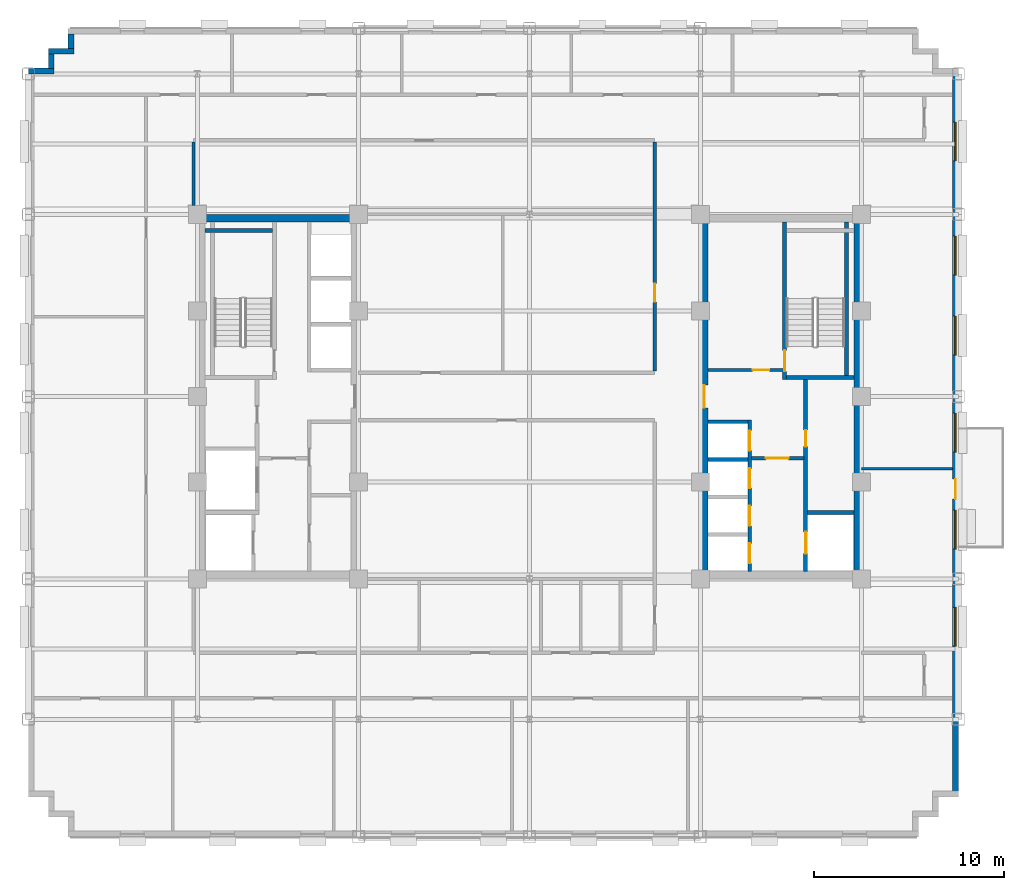
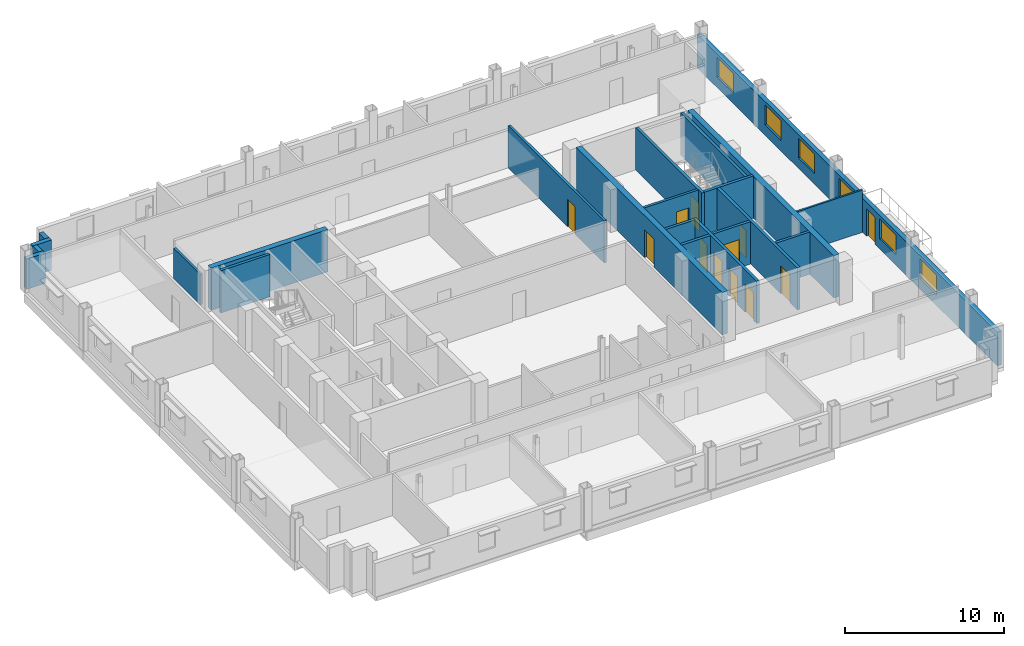
# One storey, part 9 of 14: 22 walls, 12 doors, 6 windows, 18 openings.
"""IFC4 building model written with IfcOpenShell, lengths in metres."""

from ifc_helpers import new_model, si_unit, direction, frame, frame_2d, origin, place, context, subcontext, project, spatial, rectangle, extrude, source, transform, mapped, material, layer, layer_set, type_object, type_shapes, element, fill, save


model = new_model("IFC4")

# Units and contexts
model_context = context("Model", 3, precision=1e-05, world=origin(), true_north=direction((0.0, 1.0)))
body_context = subcontext(model_context, "Body", "Model", "MODEL_VIEW")
ifc_project = project(units=[si_unit("LENGTHUNIT", "METRE"), si_unit("AREAUNIT", "SQUARE_METRE"), si_unit("VOLUMEUNIT", "CUBIC_METRE"), si_unit("PLANEANGLEUNIT", "RADIAN"), si_unit("MASSUNIT", "GRAM", prefix="KILO")], contexts=[model_context])

# Site, building, storey
site_placement = place(None, origin())
site = spatial("IfcSite", under=ifc_project, at=site_placement, CompositionType="ELEMENT")
building_placement = place(site_placement, origin())
building = spatial("IfcBuilding", under=site, at=building_placement, Name="Nuvemarco Arch Tower", CompositionType="ELEMENT")
storey_placement = place(building_placement, frame((0.0, 0.0, 182.25)))
storey = spatial("IfcBuildingStorey", under=building, at=storey_placement, Name="L48", CompositionType="ELEMENT", Elevation=182.25)

# Wall, openings, door, windows
ifc_material_1 = material(Name="Precast concrete C45/55", Category="concrete")
ifc_layer_1 = layer(ifc_material_1, 0.31005859375, Name="EW-UPP-310")
ifc_layer_set_1 = layer_set([ifc_layer_1], Name="Precast concrete C45/55")
wall_type_1 = type_object("IfcWallType", Name="EW-UPP-310", PredefinedType="STANDARD", material=ifc_layer_set_1)
wall_1_placement = place(storey_placement, frame((22.445068359375, -20.7939453125, 0.0), z_axis=(0.0, 0.0, 1.0), x_axis=(0.0, 1.0, 0.0)))
wall_1 = element("IfcWall", 1, at=wall_1_placement, inside=storey, type_object=wall_type_1, Name="L48 exterior precast facade wall 6", PredefinedType="STANDARD", context=body_context, shape_type="SweptSolid", body=[
    extrude(rectangle(XDim=37.787841796875, YDim=0.31005859375, at=frame_2d((18.89404296875, 0.0))), origin(), (0.0, 0.0, 1.0), 2.5849609375),
])
opening_1_placement = place(wall_1_placement, frame((16.444091796875, 0.0, 0.0), z_axis=(0.0, 0.0, 1.0), x_axis=(-1.0, 0.0, 0.0)))
opening_1 = element("IfcOpeningElement", 2, at=opening_1_placement, cuts=wall_1, Name="Opening ED-5", PredefinedType="OPENING", context=body_context, shape_type="SweptSolid", body=[
    extrude(rectangle(XDim=1.050048828125, YDim=2.10009765625, at=frame_2d((0.52490234375, 1.050048828125))), frame((0.0, 0.1650390625, 0.0), z_axis=(0.0, -1.0, 0.0), x_axis=(1.0, 0.0, 0.0)), (0.0, 0.0, 1.0), 0.330078125),
])
opening_2_placement = place(wall_1_placement, frame((7.643798828125, 0.0, 0.800048828125)))
opening_2 = element("IfcOpeningElement", 3, at=opening_2_placement, cuts=wall_1, Name="Opening WN-12", PredefinedType="OPENING", context=body_context, shape_type="SweptSolid", body=[
    extrude(rectangle(XDim=2.050048828125, YDim=1.52001953125, at=frame_2d((1.02490234375, 0.760009765625))), frame((0.0, 0.1650390625, 0.0), z_axis=(0.0, -1.0, 0.0), x_axis=(1.0, 0.0, 0.0)), (0.0, 0.0, 1.0), 0.330078125),
])
opening_3_placement = place(wall_1_placement, frame((12.75634765625, 0.0, 0.800048828125)))
opening_3 = element("IfcOpeningElement", 4, at=opening_3_placement, cuts=wall_1, Name="Opening WN-12", PredefinedType="OPENING", context=body_context, shape_type="SweptSolid", body=[
    extrude(rectangle(XDim=2.050048828125, YDim=1.52001953125, at=frame_2d((1.02490234375, 0.760009765625))), frame((0.0, 0.1650390625, 0.0), z_axis=(0.0, -1.0, 0.0), x_axis=(1.0, 0.0, 0.0)), (0.0, 0.0, 1.0), 0.330078125),
])
opening_4_placement = place(wall_1_placement, frame((17.868896484375, 0.0, 0.800048828125)))
opening_4 = element("IfcOpeningElement", 5, at=opening_4_placement, cuts=wall_1, Name="Opening WN-12", PredefinedType="OPENING", context=body_context, shape_type="SweptSolid", body=[
    extrude(rectangle(XDim=2.050048828125, YDim=1.52001953125, at=frame_2d((1.02490234375, 0.760009765625))), frame((0.0, 0.1650390625, 0.0), z_axis=(0.0, -1.0, 0.0), x_axis=(1.0, 0.0, 0.0)), (0.0, 0.0, 1.0), 0.330078125),
])
opening_5_placement = place(wall_1_placement, frame((22.981689453125, 0.0, 0.800048828125)))
opening_5 = element("IfcOpeningElement", 6, at=opening_5_placement, cuts=wall_1, Name="Opening WN-12", PredefinedType="OPENING", context=body_context, shape_type="SweptSolid", body=[
    extrude(rectangle(XDim=2.050048828125, YDim=1.52001953125, at=frame_2d((1.02490234375, 0.760009765625))), frame((0.0, 0.1650390625, 0.0), z_axis=(0.0, -1.0, 0.0), x_axis=(1.0, 0.0, 0.0)), (0.0, 0.0, 1.0), 0.330078125),
])
opening_6_placement = place(wall_1_placement, frame((27.194091796875, 0.0, 0.800048828125)))
opening_6 = element("IfcOpeningElement", 7, at=opening_6_placement, cuts=wall_1, Name="Opening WN-12", PredefinedType="OPENING", context=body_context, shape_type="SweptSolid", body=[
    extrude(rectangle(XDim=2.050048828125, YDim=1.52001953125, at=frame_2d((1.02490234375, 0.760009765625))), frame((0.0, 0.1650390625, 0.0), z_axis=(0.0, -1.0, 0.0), x_axis=(1.0, 0.0, 0.0)), (0.0, 0.0, 1.0), 0.330078125),
])
opening_7_placement = place(wall_1_placement, frame((33.206787109375, 0.0, 0.800048828125)))
opening_7 = element("IfcOpeningElement", 8, at=opening_7_placement, cuts=wall_1, Name="Opening WN-12", PredefinedType="OPENING", context=body_context, shape_type="SweptSolid", body=[
    extrude(rectangle(XDim=2.050048828125, YDim=1.52001953125, at=frame_2d((1.02490234375, 0.760009765625))), frame((0.0, 0.1650390625, 0.0), z_axis=(0.0, -1.0, 0.0), x_axis=(1.0, 0.0, 0.0)), (0.0, 0.0, 1.0), 0.330078125),
])
ifc_material_2 = material(Name="Anodised bronze and laminated glass", Category="glass")
door_type_1 = type_object("IfcDoorType", Name="DR-EXT-TERR", OperationType="NOTDEFINED", PredefinedType="DOOR", material=ifc_material_2)
shared_shape_1 = source(origin(), body_context, "Body", "SweptSolid", [
    extrude(rectangle(XDim=1.050048828125, YDim=2.10009765625, at=frame_2d((0.52490234375, 1.050048828125))), frame((0.0, 0.02490234375, 0.0), z_axis=(0.0, -1.0, 0.0), x_axis=(1.0, 0.0, 0.0)), (0.0, 0.0, 1.0), 0.050048828125),
])
type_shapes(door_type_1, [shared_shape_1])
door_1_placement = place(opening_1_placement, origin())
door_1 = element("IfcDoor", 9, at=door_1_placement, inside=storey, type_object=door_type_1, Name="L48 spiral terrace access door", OperationType="SINGLE_SWING_LEFT", OverallHeight=2.10009765625, OverallWidth=1.050048828125, PredefinedType="DOOR", context=body_context, shape_type="MappedRepresentation", body=[
    mapped(shared_shape_1, transform((0.0, 0.0, 0.0), scale=1.0)),
])
fill(opening_1, door_1)
ifc_material_3 = material(Name="Insulated solar-control glass", Category="glass")
window_type = type_object("IfcWindowType", Name="WN-SET-2050x1520", PartitioningType="DOUBLE_PANEL_VERTICAL", PredefinedType="WINDOW", material=ifc_material_3)
shared_shape_2 = source(origin(), body_context, "Body", "SweptSolid", [
    extrude(rectangle(XDim=2.050048828125, YDim=1.52001953125, at=frame_2d((1.02490234375, 0.760009765625))), frame((0.0, 0.030029296875, 0.0), z_axis=(0.0, -1.0, 0.0), x_axis=(1.0, 0.0, 0.0)), (0.0, 0.0, 1.0), 0.06005859375),
])
type_shapes(window_type, [shared_shape_2])
window_1_placement = place(opening_2_placement, origin())
window_1 = element("IfcWindow", 10, at=window_1_placement, inside=storey, type_object=window_type, Name="L48 punched facade window 2", OverallHeight=1.52001953125, OverallWidth=2.050048828125, PartitioningType="SINGLE_PANEL", PredefinedType="WINDOW", context=body_context, shape_type="MappedRepresentation", body=[
    mapped(shared_shape_2, transform((0.0, 0.0, 0.0), scale=1.0)),
])
fill(opening_2, window_1)
window_2_placement = place(opening_3_placement, origin())
window_2 = element("IfcWindow", 11, at=window_2_placement, inside=storey, type_object=window_type, Name="L48 punched facade window 3", OverallHeight=1.52001953125, OverallWidth=2.050048828125, PartitioningType="SINGLE_PANEL", PredefinedType="WINDOW", context=body_context, shape_type="MappedRepresentation", body=[
    mapped(shared_shape_2, transform((0.0, 0.0, 0.0), scale=1.0)),
])
fill(opening_3, window_2)
window_3_placement = place(opening_4_placement, origin())
window_3 = element("IfcWindow", 12, at=window_3_placement, inside=storey, type_object=window_type, Name="L48 punched facade window 4", OverallHeight=1.52001953125, OverallWidth=2.050048828125, PartitioningType="SINGLE_PANEL", PredefinedType="WINDOW", context=body_context, shape_type="MappedRepresentation", body=[
    mapped(shared_shape_2, transform((0.0, 0.0, 0.0), scale=1.0)),
])
fill(opening_4, window_3)
window_4_placement = place(opening_5_placement, origin())
window_4 = element("IfcWindow", 13, at=window_4_placement, inside=storey, type_object=window_type, Name="L48 punched facade window 5", OverallHeight=1.52001953125, OverallWidth=2.050048828125, PartitioningType="SINGLE_PANEL", PredefinedType="WINDOW", context=body_context, shape_type="MappedRepresentation", body=[
    mapped(shared_shape_2, transform((0.0, 0.0, 0.0), scale=1.0)),
])
fill(opening_5, window_4)
window_5_placement = place(opening_6_placement, origin())
window_5 = element("IfcWindow", 14, at=window_5_placement, inside=storey, type_object=window_type, Name="L48 punched facade window 6", OverallHeight=1.52001953125, OverallWidth=2.050048828125, PartitioningType="SINGLE_PANEL", PredefinedType="WINDOW", context=body_context, shape_type="MappedRepresentation", body=[
    mapped(shared_shape_2, transform((0.0, 0.0, 0.0), scale=1.0)),
])
fill(opening_6, window_5)
window_6_placement = place(opening_7_placement, origin())
window_6 = element("IfcWindow", 15, at=window_6_placement, inside=storey, type_object=window_type, Name="L48 punched facade window 7", OverallHeight=1.52001953125, OverallWidth=2.050048828125, PartitioningType="SINGLE_PANEL", PredefinedType="WINDOW", context=body_context, shape_type="MappedRepresentation", body=[
    mapped(shared_shape_2, transform((0.0, 0.0, 0.0), scale=1.0)),
])
fill(opening_7, window_6)

# Walls
wall_2_placement = place(storey_placement, frame((-24.14501953125, 18.345947265625, 0.0), z_axis=(0.0, 0.0, 1.0), x_axis=(0.0, 1.0, 0.0)))
element("IfcWall", 16, at=wall_2_placement, inside=storey, type_object=wall_type_1, Name="L48 exterior precast facade wall 12", PredefinedType="STANDARD", context=body_context, shape_type="SweptSolid", body=[
    extrude(rectangle(XDim=0.748046875, YDim=0.31005859375, at=frame_2d((0.3740234375, 0.0))), origin(), (0.0, 0.0, 1.0), 2.3349609375),
])
wall_3_placement = place(storey_placement, frame((-25.35009765625, 18.195068359375, 0.0), z_axis=(0.0, 0.0, 1.0), x_axis=(1.0, 0.0, 0.0)))
element("IfcWall", 17, at=wall_3_placement, inside=storey, type_object=wall_type_1, Name="L48 exterior precast facade wall 13", PredefinedType="STANDARD", context=body_context, shape_type="SweptSolid", body=[
    extrude(rectangle(XDim=1.360107421875, YDim=0.31005859375, at=frame_2d((0.68017578125, 0.0))), origin(), (0.0, 0.0, 1.0), 2.3349609375),
])
wall_4_placement = place(storey_placement, frame((-25.195068359375, 17.2958984375, 0.0), z_axis=(0.0, 0.0, 1.0), x_axis=(0.0, 1.0, 0.0)))
element("IfcWall", 18, at=wall_4_placement, inside=storey, type_object=wall_type_1, Name="L48 exterior precast facade wall 14", PredefinedType="STANDARD", context=body_context, shape_type="SweptSolid", body=[
    extrude(rectangle(XDim=0.748046875, YDim=0.31005859375, at=frame_2d((0.3740234375, 0.0))), origin(), (0.0, 0.0, 1.0), 2.3349609375),
])
wall_5_placement = place(storey_placement, frame((-26.39990234375, 17.14501953125, 0.0), z_axis=(0.0, 0.0, 1.0), x_axis=(1.0, 0.0, 0.0)))
element("IfcWall", 19, at=wall_5_placement, inside=storey, type_object=wall_type_1, Name="L48 exterior precast facade wall 15", PredefinedType="STANDARD", context=body_context, shape_type="SweptSolid", body=[
    extrude(rectangle(XDim=1.35986328125, YDim=0.31005859375, at=frame_2d((0.679931640625, 0.0))), origin(), (0.0, 0.0, 1.0), 2.3349609375),
])
ifc_material_4 = material(Name="Concrete C60/75", Category="concrete")
ifc_layer_2 = layer(ifc_material_4, 0.39990234375, Name="WL-CORE-400")
ifc_layer_set_2 = layer_set([ifc_layer_2], Name="Concrete C60/75")
wall_type_2 = type_object("IfcWallType", Name="WL-CORE-400", PredefinedType="SHEAR", material=ifc_layer_set_2)
wall_6_placement = place(storey_placement, frame((-17.5, 9.39990234375, 0.0), z_axis=(0.0, 0.0, 1.0), x_axis=(1.0, 0.0, 0.0)))
element("IfcWall", 20, at=wall_6_placement, inside=storey, type_object=wall_type_2, Name="L48 W-core shear wall N", PredefinedType="SHEAR", context=body_context, shape_type="SweptSolid", body=[
    extrude(rectangle(XDim=8.5, YDim=0.39990234375, at=frame_2d((4.25, 0.0))), origin(), (0.0, 0.0, 1.0), 3.25),
])

# Wall, opening, door
wall_7_placement = place(storey_placement, frame((9.199951171875, -9.205078125, 0.0), z_axis=(0.0, 0.0, 1.0), x_axis=(0.0, 1.0, 0.0)))
wall_7 = element("IfcWall", 21, at=wall_7_placement, inside=storey, type_object=wall_type_2, Name="L48 E-core shear wall W", PredefinedType="SHEAR", context=body_context, shape_type="SweptSolid", body=[
    extrude(rectangle(XDim=18.41015625, YDim=0.39990234375, at=frame_2d((9.205078125, 0.0))), origin(), (0.0, 0.0, 1.0), 3.25),
])
opening_8_placement = place(wall_7_placement, frame((8.60498046875, 0.0, 0.0)))
opening_8 = element("IfcOpeningElement", 22, at=opening_8_placement, cuts=wall_7, Name="Opening FD-2", PredefinedType="OPENING", context=body_context, shape_type="SweptSolid", body=[
    extrude(rectangle(XDim=1.199951171875, YDim=2.14990234375, at=frame_2d((0.60009765625, 1.074951171875))), frame((0.0, 0.2099609375, 0.0), z_axis=(0.0, -1.0, 0.0), x_axis=(1.0, 0.0, 0.0)), (0.0, 0.0, 1.0), 0.419921875),
])
ifc_material_5 = material(Name="Anodised steel fire door", Category="steel")
door_type_2 = type_object("IfcDoorType", Name="DR-FFLOB-FD", OperationType="NOTDEFINED", PredefinedType="DOOR", material=ifc_material_5)
shared_shape_3 = source(origin(), body_context, "Body", "SweptSolid", [
    extrude(rectangle(XDim=1.199951171875, YDim=2.14990234375, at=frame_2d((0.60009765625, 1.074951171875))), frame((0.0, 0.02490234375, 0.0), z_axis=(0.0, -1.0, 0.0), x_axis=(1.0, 0.0, 0.0)), (0.0, 0.0, 1.0), 0.050048828125),
])
type_shapes(door_type_2, [shared_shape_3])
door_2_placement = place(opening_8_placement, origin())
door_2 = element("IfcDoor", 23, at=door_2_placement, inside=storey, type_object=door_type_2, Name="L48 door FD-L48-ECORE-W", OperationType="SINGLE_SWING_RIGHT", OverallHeight=2.14990234375, OverallWidth=1.199951171875, PredefinedType="DOOR", context=body_context, shape_type="MappedRepresentation", body=[
    mapped(shared_shape_3, transform((0.0, 0.0, 0.0), scale=1.0)),
])
fill(opening_8, door_2)

# Wall
wall_8_placement = place(storey_placement, frame((17.300048828125, -9.205078125, 0.0), z_axis=(0.0, 0.0, 1.0), x_axis=(0.0, 1.0, 0.0)))
element("IfcWall", 24, at=wall_8_placement, inside=storey, type_object=wall_type_2, Name="L48 E-core shear wall E", PredefinedType="SHEAR", context=body_context, shape_type="SweptSolid", body=[
    extrude(rectangle(XDim=18.41015625, YDim=0.39990234375, at=frame_2d((9.205078125, 0.0))), origin(), (0.0, 0.0, 1.0), 3.25),
])

# Wall, opening, door
ifc_material_6 = material(Name="Fire-rated gypsum drywall partition")
ifc_layer_3 = layer(ifc_material_6, 0.179931640625, Name="WL-CORR-180")
ifc_layer_set_3 = layer_set([ifc_layer_3], Name="Fire-rated gypsum drywall partition")
wall_type_3 = type_object("IfcWallType", Name="WL-CORR-180", PredefinedType="PARTITIONING", material=ifc_layer_set_3)
wall_9_placement = place(storey_placement, frame((9.39501953125, 1.39990234375, 0.0), z_axis=(0.0, 0.0, 1.0), x_axis=(1.0, 0.0, 0.0)))
wall_9 = element("IfcWall", 25, at=wall_9_placement, inside=storey, type_object=wall_type_3, Name="L48 interior wall IW-L48-EK-S", PredefinedType="PARTITIONING", context=body_context, shape_type="SweptSolid", body=[
    extrude(rectangle(XDim=3.949951171875, YDim=0.179931640625, at=frame_2d((1.97509765625, 0.0))), origin(), (0.0, 0.0, 1.0), 3.239990234375),
])
opening_9_placement = place(wall_9_placement, frame((2.364990234375, 0.0, 0.0)))
opening_9 = element("IfcOpeningElement", 26, at=opening_9_placement, cuts=wall_9, Name="Opening FD-4", PredefinedType="OPENING", context=body_context, shape_type="SweptSolid", body=[
    extrude(rectangle(XDim=0.8798828125, YDim=2.10009765625, at=frame_2d((0.43994140625, 1.050048828125))), frame((0.0, 0.099853515625, 0.0), z_axis=(0.0, -1.0, 0.0), x_axis=(1.0, 0.0, 0.0)), (0.0, 0.0, 1.0), 0.199951171875),
])
door_type_3 = type_object("IfcDoorType", Name="DR-RISER-FD", OperationType="NOTDEFINED", PredefinedType="DOOR", material=ifc_material_5)
shared_shape_4 = source(origin(), body_context, "Body", "SweptSolid", [
    extrude(rectangle(XDim=0.8798828125, YDim=2.10009765625, at=frame_2d((0.43994140625, 1.050048828125))), frame((0.0, 0.02490234375, 0.0), z_axis=(0.0, -1.0, 0.0), x_axis=(1.0, 0.0, 0.0)), (0.0, 0.0, 1.0), 0.050048828125),
])
type_shapes(door_type_3, [shared_shape_4])
door_3_placement = place(opening_9_placement, origin())
door_3 = element("IfcDoor", 27, at=door_3_placement, inside=storey, type_object=door_type_3, Name="L48 door FD-L48-EK1A", OperationType="SINGLE_SWING_LEFT", OverallHeight=2.10009765625, OverallWidth=0.8798828125, PredefinedType="DOOR", context=body_context, shape_type="MappedRepresentation", body=[
    mapped(shared_shape_4, transform((0.0, 0.0, 0.0), scale=1.0)),
])
fill(opening_9, door_3)

# Wall
wall_10_placement = place(storey_placement, frame((-17.699951171875, 10.071044921875, 0.0), z_axis=(0.0, 0.0, 1.0), x_axis=(0.0, 1.0, 0.0)))
element("IfcWall", 28, at=wall_10_placement, inside=storey, type_object=wall_type_3, Name="L48 interior wall IW-L48-018", PredefinedType="PARTITIONING", context=body_context, shape_type="SweptSolid", body=[
    extrude(rectangle(XDim=3.343017578125, YDim=0.179931640625, at=frame_2d((1.67138671875, 0.0))), origin(), (0.0, 0.0, 1.0), 2.3349609375),
])

# Wall, opening, door
wall_11_placement = place(storey_placement, frame((6.60009765625, 1.3359375, 0.0), z_axis=(0.0, 0.0, 1.0), x_axis=(0.0, 1.0, 0.0)))
wall_11 = element("IfcWall", 29, at=wall_11_placement, inside=storey, type_object=wall_type_3, Name="L48 interior wall IW-L48-030", PredefinedType="PARTITIONING", context=body_context, shape_type="SweptSolid", body=[
    extrude(rectangle(XDim=12.078125, YDim=0.179931640625, at=frame_2d((6.0390625, 0.0))), origin(), (0.0, 0.0, 1.0), 3.239990234375),
])
opening_10_placement = place(wall_11_placement, frame((3.652099609375, 0.0, 0.0)))
opening_10 = element("IfcOpeningElement", 30, at=opening_10_placement, cuts=wall_11, Name="Opening FD-5", PredefinedType="OPENING", context=body_context, shape_type="SweptSolid", body=[
    extrude(rectangle(XDim=0.9599609375, YDim=2.10009765625, at=frame_2d((0.47998046875, 1.050048828125))), frame((0.0, 0.099853515625, 0.0), z_axis=(0.0, -1.0, 0.0), x_axis=(1.0, 0.0, 0.0)), (0.0, 0.0, 1.0), 0.199951171875),
])
ifc_material_7 = material(Name="Timber fire door", Category="wood")
door_type_4 = type_object("IfcDoorType", Name="DR-CORR-FD", OperationType="NOTDEFINED", PredefinedType="DOOR", material=ifc_material_7)
shared_shape_5 = source(origin(), body_context, "Body", "SweptSolid", [
    extrude(rectangle(XDim=0.9599609375, YDim=2.10009765625, at=frame_2d((0.47998046875, 1.050048828125))), frame((0.0, 0.02490234375, 0.0), z_axis=(0.0, -1.0, 0.0), x_axis=(1.0, 0.0, 0.0)), (0.0, 0.0, 1.0), 0.050048828125),
])
type_shapes(door_type_4, [shared_shape_5])
door_4_placement = place(opening_10_placement, origin())
door_4 = element("IfcDoor", 31, at=door_4_placement, inside=storey, type_object=door_type_4, Name="L48 door DR-L48-C_N2", OperationType="SINGLE_SWING_RIGHT", OverallHeight=2.10009765625, OverallWidth=0.9599609375, PredefinedType="DOOR", context=body_context, shape_type="MappedRepresentation", body=[
    mapped(shared_shape_5, transform((0.0, 0.0, 0.0), scale=1.0)),
])
fill(opening_10, door_4)

# Walls
ifc_material_8 = material(Name="Glazed acoustic office partition")
ifc_layer_4 = layer(ifc_material_8, 0.1298828125, Name="WL-EXEC-130")
ifc_layer_set_4 = layer_set([ifc_layer_4], Name="Glazed acoustic office partition")
wall_type_4 = type_object("IfcWallType", Name="WL-EXEC-130", PredefinedType="PARTITIONING", material=ifc_layer_set_4)
wall_12_placement = place(storey_placement, frame((17.5, -3.800048828125, 0.0), z_axis=(0.0, 0.0, 1.0), x_axis=(1.0, 0.0, 0.0)))
element("IfcWall", 32, at=wall_12_placement, inside=storey, type_object=wall_type_4, Name="L48 interior wall IW-L48-006", PredefinedType="PARTITIONING", context=body_context, shape_type="SweptSolid", body=[
    extrude(rectangle(XDim=4.7900390625, YDim=0.1298828125, at=frame_2d((2.39501953125, 0.0))), origin(), (0.0, 0.0, 1.0), 3.239990234375),
])
ifc_material_9 = material(Name="Concrete C50/60", Category="concrete")
ifc_layer_5 = layer(ifc_material_9, 0.199951171875, Name="WL-SHAFT-220")
ifc_layer_set_5 = layer_set([ifc_layer_5], Name="Concrete C50/60")
wall_type_5 = type_object("IfcWallType", Name="WL-SHAFT-220", PredefinedType="SHEAR", material=ifc_layer_set_5)
wall_13_placement = place(storey_placement, frame((-17.10498046875, 8.75, 0.0), z_axis=(0.0, 0.0, 1.0), x_axis=(1.0, 0.0, 0.0)))
element("IfcWall", 33, at=wall_13_placement, inside=storey, type_object=wall_type_5, Name="L48 structural shaft wall SW-L48-W-ST1N", PredefinedType="SHEAR", context=body_context, shape_type="SweptSolid", body=[
    extrude(rectangle(XDim=3.570068359375, YDim=0.199951171875, at=frame_2d((1.78515625, 0.0))), origin(), (0.0, 0.0, 1.0), 3.25),
])

# Wall, opening, door
wall_14_placement = place(storey_placement, frame((13.43994140625, 0.89990234375, 0.0), z_axis=(0.0, 0.0, 1.0), x_axis=(0.0, 1.0, 0.0)))
wall_14 = element("IfcWall", 34, at=wall_14_placement, inside=storey, type_object=wall_type_5, Name="L48 structural shaft wall SW-L48-E-ST2W", PredefinedType="SHEAR", context=body_context, shape_type="SweptSolid", body=[
    extrude(rectangle(XDim=8.30517578125, YDim=0.199951171875, at=frame_2d((4.152587890625, 0.0))), origin(), (0.0, 0.0, 1.0), 3.25),
])
opening_11_placement = place(wall_14_placement, frame((0.429931640625, 0.0, 0.0)))
opening_11 = element("IfcOpeningElement", 35, at=opening_11_placement, cuts=wall_14, Name="Opening FD-1", PredefinedType="OPENING", context=body_context, shape_type="SweptSolid", body=[
    extrude(rectangle(XDim=1.10009765625, YDim=2.14990234375, at=frame_2d((0.550048828125, 1.074951171875))), frame((0.0, 0.10986328125, 0.0), z_axis=(0.0, -1.0, 0.0), x_axis=(1.0, 0.0, 0.0)), (0.0, 0.0, 1.0), 0.219970703125),
])
door_type_5 = type_object("IfcDoorType", Name="DR-STAIR-FD", OperationType="NOTDEFINED", PredefinedType="DOOR", material=ifc_material_5)
shared_shape_6 = source(origin(), body_context, "Body", "SweptSolid", [
    extrude(rectangle(XDim=1.10009765625, YDim=2.14990234375, at=frame_2d((0.550048828125, 1.074951171875))), frame((0.0, 0.02490234375, 0.0), z_axis=(0.0, -1.0, 0.0), x_axis=(1.0, 0.0, 0.0)), (0.0, 0.0, 1.0), 0.050048828125),
])
type_shapes(door_type_5, [shared_shape_6])
door_5_placement = place(opening_11_placement, origin())
door_5 = element("IfcDoor", 36, at=door_5_placement, inside=storey, type_object=door_type_5, Name="L48 door FD-L48-ST2", OperationType="SINGLE_SWING_RIGHT", OverallHeight=2.14990234375, OverallWidth=1.10009765625, PredefinedType="DOOR", context=body_context, shape_type="MappedRepresentation", body=[
    mapped(shared_shape_6, transform((0.0, 0.0, 0.0), scale=1.0)),
])
fill(opening_11, door_5)

# Walls
wall_15_placement = place(storey_placement, frame((13.534912109375, 1.0, 0.0), z_axis=(0.0, 0.0, 1.0), x_axis=(1.0, 0.0, 0.0)))
element("IfcWall", 37, at=wall_15_placement, inside=storey, type_object=wall_type_5, Name="L48 structural shaft wall SW-L48-E-ST2S", PredefinedType="SHEAR", context=body_context, shape_type="SweptSolid", body=[
    extrude(rectangle(XDim=3.570068359375, YDim=0.199951171875, at=frame_2d((1.78515625, 0.0))), origin(), (0.0, 0.0, 1.0), 3.25),
])
wall_16_placement = place(storey_placement, frame((16.699951171875, 1.094970703125, 0.0), z_axis=(0.0, 0.0, 1.0), x_axis=(0.0, 1.0, 0.0)))
element("IfcWall", 38, at=wall_16_placement, inside=storey, type_object=wall_type_5, Name="L48 structural shaft wall SW-L48-E-ST2E", PredefinedType="SHEAR", context=body_context, shape_type="SweptSolid", body=[
    extrude(rectangle(XDim=8.110107421875, YDim=0.199951171875, at=frame_2d((4.05517578125, 0.0))), origin(), (0.0, 0.0, 1.0), 3.25),
])

# Wall, openings, doors
wall_17_placement = place(storey_placement, frame((14.550048828125, -9.205078125, 0.0), z_axis=(0.0, 0.0, 1.0), x_axis=(0.0, 1.0, 0.0)))
wall_17 = element("IfcWall", 39, at=wall_17_placement, inside=storey, type_object=wall_type_5, Name="L48 structural shaft wall SW-L48-E-SHW", PredefinedType="SHEAR", context=body_context, shape_type="SweptSolid", body=[
    extrude(rectangle(XDim=10.110107421875, YDim=0.199951171875, at=frame_2d((5.05517578125, 0.0))), origin(), (0.0, 0.0, 1.0), 3.25),
])
opening_12_placement = place(wall_17_placement, frame((6.56494140625, 0.0, 0.0)))
opening_12 = element("IfcOpeningElement", 40, at=opening_12_placement, cuts=wall_17, Name="Opening FD-4", PredefinedType="OPENING", context=body_context, shape_type="SweptSolid", body=[
    extrude(rectangle(XDim=0.8798828125, YDim=2.10009765625, at=frame_2d((0.43994140625, 1.050048828125))), frame((0.0, 0.10986328125, 0.0), z_axis=(0.0, -1.0, 0.0), x_axis=(1.0, 0.0, 0.0)), (0.0, 0.0, 1.0), 0.219970703125),
])
opening_13_placement = place(wall_17_placement, frame((0.929931640625, 0.0, 0.0)))
opening_13 = element("IfcOpeningElement", 41, at=opening_13_placement, cuts=wall_17, Name="Opening LD-2", PredefinedType="OPENING", context=body_context, shape_type="SweptSolid", body=[
    extrude(rectangle(XDim=1.14990234375, YDim=2.14990234375, at=frame_2d((0.574951171875, 1.074951171875))), frame((0.0, 0.10986328125, 0.0), z_axis=(0.0, -1.0, 0.0), x_axis=(1.0, 0.0, 0.0)), (0.0, 0.0, 1.0), 0.219970703125),
])
door_6_placement = place(opening_12_placement, origin())
door_6 = element("IfcDoor", 42, at=door_6_placement, inside=storey, type_object=door_type_3, Name="L48 door FD-L48-ERIS", OperationType="SINGLE_SWING_RIGHT", OverallHeight=2.10009765625, OverallWidth=0.8798828125, PredefinedType="DOOR", context=body_context, shape_type="MappedRepresentation", body=[
    mapped(shared_shape_4, transform((0.0, 0.0, 0.0), scale=1.0)),
])
fill(opening_12, door_6)
ifc_material_10 = material(Name="Stainless steel lift door", Category="steel")
door_type_6 = type_object("IfcDoorType", Name="DR-LIFT-FIRE", OperationType="DOUBLE_DOOR_SLIDING", PredefinedType="DOOR", material=ifc_material_10)
shared_shape_7 = source(origin(), body_context, "Body", "SweptSolid", [
    extrude(rectangle(XDim=1.14990234375, YDim=2.14990234375, at=frame_2d((0.574951171875, 1.074951171875))), frame((0.0, 0.02490234375, 0.0), z_axis=(0.0, -1.0, 0.0), x_axis=(1.0, 0.0, 0.0)), (0.0, 0.0, 1.0), 0.050048828125),
])
type_shapes(door_type_6, [shared_shape_7])
door_7_placement = place(opening_13_placement, origin())
door_7 = element("IfcDoor", 43, at=door_7_placement, inside=storey, type_object=door_type_6, Name="L48 Lift landing sliding door FFL-2", OperationType="DOUBLE_DOOR_SLIDING", OverallHeight=2.14990234375, OverallWidth=1.14990234375, PredefinedType="DOOR", context=body_context, shape_type="MappedRepresentation", body=[
    mapped(shared_shape_7, transform((0.0, 0.0, 0.0), scale=1.0)),
])
fill(opening_13, door_7)

# Wall
wall_18_placement = place(storey_placement, frame((14.64501953125, -6.10009765625, 0.0), z_axis=(0.0, 0.0, 1.0), x_axis=(1.0, 0.0, 0.0)))
element("IfcWall", 44, at=wall_18_placement, inside=storey, type_object=wall_type_5, Name="L48 structural shaft wall SW-L48-E-SH1", PredefinedType="SHEAR", context=body_context, shape_type="SweptSolid", body=[
    extrude(rectangle(XDim=2.4599609375, YDim=0.199951171875, at=frame_2d((1.22998046875, 0.0))), origin(), (0.0, 0.0, 1.0), 3.25),
])

# Wall, openings, doors
wall_19_placement = place(storey_placement, frame((11.60009765625, -9.205078125, 0.0), z_axis=(0.0, 0.0, 1.0), x_axis=(0.0, 1.0, 0.0)))
wall_19 = element("IfcWall", 45, at=wall_19_placement, inside=storey, type_object=wall_type_5, Name="L48 structural shaft wall SW-L48-E-PME", PredefinedType="SHEAR", context=body_context, shape_type="SweptSolid", body=[
    extrude(rectangle(XDim=7.97509765625, YDim=0.199951171875, at=frame_2d((3.987548828125, 0.0))), origin(), (0.0, 0.0, 1.0), 3.25),
])
opening_14_placement = place(wall_19_placement, frame((0.419921875, 0.0, 0.0)))
opening_14 = element("IfcOpeningElement", 46, at=opening_14_placement, cuts=wall_19, Name="Opening LD-1", PredefinedType="OPENING", context=body_context, shape_type="SweptSolid", body=[
    extrude(rectangle(XDim=1.050048828125, YDim=2.14990234375, at=frame_2d((0.52490234375, 1.074951171875))), frame((0.0, 0.10986328125, 0.0), z_axis=(0.0, -1.0, 0.0), x_axis=(1.0, 0.0, 0.0)), (0.0, 0.0, 1.0), 0.219970703125),
])
opening_15_placement = place(wall_19_placement, frame((2.39990234375, 0.0, 0.0)))
opening_15 = element("IfcOpeningElement", 47, at=opening_15_placement, cuts=wall_19, Name="Opening LD-1", PredefinedType="OPENING", context=body_context, shape_type="SweptSolid", body=[
    extrude(rectangle(XDim=1.050048828125, YDim=2.14990234375, at=frame_2d((0.52490234375, 1.074951171875))), frame((0.0, 0.10986328125, 0.0), z_axis=(0.0, -1.0, 0.0), x_axis=(1.0, 0.0, 0.0)), (0.0, 0.0, 1.0), 0.219970703125),
])
opening_16_placement = place(wall_19_placement, frame((4.3798828125, 0.0, 0.0)))
opening_16 = element("IfcOpeningElement", 48, at=opening_16_placement, cuts=wall_19, Name="Opening LD-1", PredefinedType="OPENING", context=body_context, shape_type="SweptSolid", body=[
    extrude(rectangle(XDim=1.050048828125, YDim=2.14990234375, at=frame_2d((0.52490234375, 1.074951171875))), frame((0.0, 0.10986328125, 0.0), z_axis=(0.0, -1.0, 0.0), x_axis=(1.0, 0.0, 0.0)), (0.0, 0.0, 1.0), 0.219970703125),
])
opening_17_placement = place(wall_19_placement, frame((6.360107421875, 0.0, 0.0)))
opening_17 = element("IfcOpeningElement", 49, at=opening_17_placement, cuts=wall_19, Name="Opening LD-1", PredefinedType="OPENING", context=body_context, shape_type="SweptSolid", body=[
    extrude(rectangle(XDim=1.050048828125, YDim=2.14990234375, at=frame_2d((0.52490234375, 1.074951171875))), frame((0.0, 0.10986328125, 0.0), z_axis=(0.0, -1.0, 0.0), x_axis=(1.0, 0.0, 0.0)), (0.0, 0.0, 1.0), 0.219970703125),
])
door_type_7 = type_object("IfcDoorType", Name="DR-LIFT-PASS", OperationType="DOUBLE_DOOR_SLIDING", PredefinedType="DOOR", material=ifc_material_10)
shared_shape_8 = source(origin(), body_context, "Body", "SweptSolid", [
    extrude(rectangle(XDim=1.050048828125, YDim=2.14990234375, at=frame_2d((0.52490234375, 1.074951171875))), frame((0.0, 0.02490234375, 0.0), z_axis=(0.0, -1.0, 0.0), x_axis=(1.0, 0.0, 0.0)), (0.0, 0.0, 1.0), 0.050048828125),
])
type_shapes(door_type_7, [shared_shape_8])
door_8_placement = place(opening_14_placement, origin())
door_8 = element("IfcDoor", 50, at=door_8_placement, inside=storey, type_object=door_type_7, Name="L48 Lift landing sliding door PM-1", OperationType="DOUBLE_DOOR_SLIDING", OverallHeight=2.14990234375, OverallWidth=1.050048828125, PredefinedType="DOOR", context=body_context, shape_type="MappedRepresentation", body=[
    mapped(shared_shape_8, transform((0.0, 0.0, 0.0), scale=1.0)),
])
fill(opening_14, door_8)
door_9_placement = place(opening_15_placement, origin())
door_9 = element("IfcDoor", 51, at=door_9_placement, inside=storey, type_object=door_type_7, Name="L48 Lift landing sliding door PM-2", OperationType="DOUBLE_DOOR_SLIDING", OverallHeight=2.14990234375, OverallWidth=1.050048828125, PredefinedType="DOOR", context=body_context, shape_type="MappedRepresentation", body=[
    mapped(shared_shape_8, transform((0.0, 0.0, 0.0), scale=1.0)),
])
fill(opening_15, door_9)
door_10_placement = place(opening_16_placement, origin())
door_10 = element("IfcDoor", 52, at=door_10_placement, inside=storey, type_object=door_type_7, Name="L48 Lift landing sliding door PM-3", OperationType="DOUBLE_DOOR_SLIDING", OverallHeight=2.14990234375, OverallWidth=1.050048828125, PredefinedType="DOOR", context=body_context, shape_type="MappedRepresentation", body=[
    mapped(shared_shape_8, transform((0.0, 0.0, 0.0), scale=1.0)),
])
fill(opening_16, door_10)
door_11_placement = place(opening_17_placement, origin())
door_11 = element("IfcDoor", 53, at=door_11_placement, inside=storey, type_object=door_type_7, Name="L48 Lift landing sliding door PM-4", OperationType="DOUBLE_DOOR_SLIDING", OverallHeight=2.14990234375, OverallWidth=1.050048828125, PredefinedType="DOOR", context=body_context, shape_type="MappedRepresentation", body=[
    mapped(shared_shape_8, transform((0.0, 0.0, 0.0), scale=1.0)),
])
fill(opening_17, door_11)

# Wall, opening, door
wall_20_placement = place(storey_placement, frame((11.695068359375, -3.25, 0.0), z_axis=(0.0, 0.0, 1.0), x_axis=(1.0, 0.0, 0.0)))
wall_20 = element("IfcWall", 54, at=wall_20_placement, inside=storey, type_object=wall_type_5, Name="L48 structural shaft wall SW-L48-E-FFN", PredefinedType="SHEAR", context=body_context, shape_type="SweptSolid", body=[
    extrude(rectangle(XDim=2.760009765625, YDim=0.199951171875, at=frame_2d((1.3798828125, 0.0))), origin(), (0.0, 0.0, 1.0), 3.25),
])
opening_18_placement = place(wall_20_placement, frame((0.7548828125, 0.0, 0.0)))
opening_18 = element("IfcOpeningElement", 55, at=opening_18_placement, cuts=wall_20, Name="Opening FD-2", PredefinedType="OPENING", context=body_context, shape_type="SweptSolid", body=[
    extrude(rectangle(XDim=1.199951171875, YDim=2.14990234375, at=frame_2d((0.60009765625, 1.074951171875))), frame((0.0, 0.10986328125, 0.0), z_axis=(0.0, -1.0, 0.0), x_axis=(1.0, 0.0, 0.0)), (0.0, 0.0, 1.0), 0.219970703125),
])
door_12_placement = place(opening_18_placement, origin())
door_12 = element("IfcDoor", 56, at=door_12_placement, inside=storey, type_object=door_type_2, Name="L48 door FD-L48-EFF2", OperationType="SINGLE_SWING_RIGHT", OverallHeight=2.14990234375, OverallWidth=1.199951171875, PredefinedType="DOOR", context=body_context, shape_type="MappedRepresentation", body=[
    mapped(shared_shape_3, transform((0.0, 0.0, 0.0), scale=1.0)),
])
fill(opening_18, door_12)

# Walls
for number, where, z_axis, x_axis, name in (
    (57, (9.39501953125, -3.31005859375, 0.0), (0.0, 0.0, 1.0), (1.0, 0.0, 0.0), "L48 structural shaft wall SW-L48-E-PMD3"),
    (58, (9.39501953125, -1.330078125, 0.0), (0.0, 0.0, 1.0), (1.0, 0.0, 0.0), "L48 structural shaft wall SW-L48-E-PMD4"),
):
    element("IfcWall", number, at=place(storey_placement, frame(where, z_axis=z_axis, x_axis=x_axis)), inside=storey, type_object=wall_type_5, Name=name, PredefinedType="SHEAR", context=body_context, shape_type="SweptSolid", body=[
        extrude(rectangle(XDim=2.10986328125, YDim=0.199951171875, at=frame_2d((1.054931640625, 0.0))), origin(), (0.0, 0.0, 1.0), 3.25),
    ])

save(model, "model.ifc")
